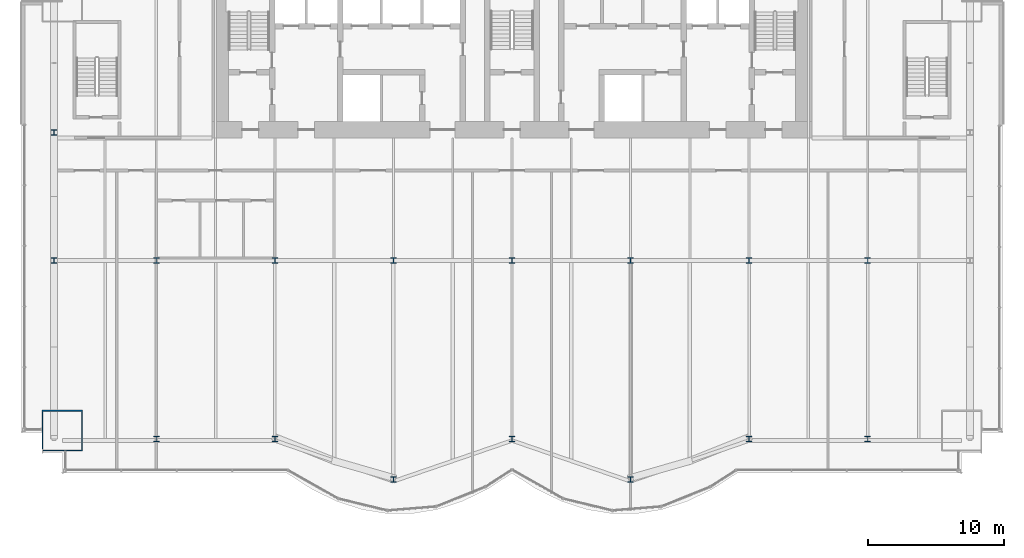
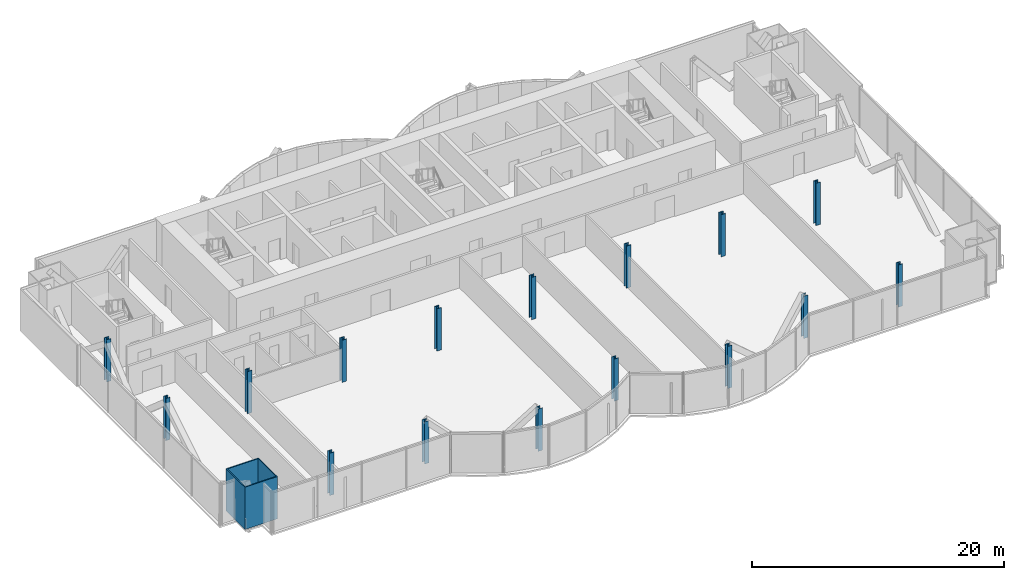
# One storey, part 1 of 21: 17 columns.
"""IFC4 building model written with IfcOpenShell, lengths in metres."""

from ifc_helpers import new_model, si_unit, direction, frame, origin, origin_2d, place, context, subcontext, project, spatial, hollow_rectangle, i_section, extrude, material, material_profile, profile_set, type_object, element, save


model = new_model("IFC4")

# Units and contexts
model_context = context("Model", 3, precision=1e-05, world=origin(), true_north=direction((0.0, 1.0)))
body_context = subcontext(model_context, "Body", "Model", "MODEL_VIEW")
ifc_project = project(units=[si_unit("LENGTHUNIT", "METRE"), si_unit("AREAUNIT", "SQUARE_METRE"), si_unit("VOLUMEUNIT", "CUBIC_METRE"), si_unit("PLANEANGLEUNIT", "RADIAN"), si_unit("MASSUNIT", "GRAM", prefix="KILO")], contexts=[model_context])

# Site, building, storey
site_placement = place(None, origin())
site = spatial("IfcSite", under=ifc_project, at=site_placement, CompositionType="ELEMENT")
building_placement = place(site_placement, origin())
building = spatial("IfcBuilding", under=site, at=building_placement, Name="Bicima Exchange Tower", CompositionType="ELEMENT")
storey_placement = place(building_placement, frame((0.0, 0.0, 114.5)))
storey = spatial("IfcBuildingStorey", under=building, at=storey_placement, Name="L24", CompositionType="ELEMENT", Elevation=114.5)

# Columns
ifc_material_1 = material(Name="Steel ASTM A992 Gr 50", Category="steel")
ifc_material_profile_1 = material_profile(ifc_material_1, i_section(OverallWidth=0.406494140625, OverallDepth=0.41650390625, WebThickness=0.030029296875, FlangeThickness=0.048095703125, at=origin_2d()))
ifc_profile_set_1 = profile_set([ifc_material_profile_1], Name="Steel ASTM A992 Gr 50")
column_type_1 = type_object("IfcColumnType", Name="Interior column W14x257", PredefinedType="COLUMN", material=ifc_profile_set_1)
for number, where, z_axis, x_axis, name in (
    (1, (-26.10009765625, -22.0, 0.0), (0.0, 0.0, 1.0), (1.0, 0.0, 0.0), "Interior column interior-26.1i"),
    (2, (-17.39990234375, -22.0, 0.0), (0.0, 0.0, 1.0), (1.0, 0.0, 0.0), "Interior column interior-17.4i"),
    (3, (-8.699951171875, -22.0, 0.0), (0.0, 0.0, 1.0), (1.0, 0.0, 0.0), "Interior column interior-8.7i"),
    (4, (0.0, -22.0, 0.0), (0.0, 0.0, 1.0), (1.0, 0.0, 0.0), "Interior column interior+0.0i"),
    (5, (8.699951171875, -22.0, 0.0), (0.0, 0.0, 1.0), (1.0, 0.0, 0.0), "Interior column interior+8.7i"),
    (6, (17.39990234375, -22.0, 0.0), (0.0, 0.0, 1.0), (1.0, 0.0, 0.0), "Interior column interior+17.4i"),
    (7, (26.10009765625, -22.0, 0.0), (0.0, 0.0, 1.0), (1.0, 0.0, 0.0), "Interior column interior+26.1i"),
):
    element("IfcColumn", number, at=place(storey_placement, frame(where, z_axis=z_axis, x_axis=x_axis)), inside=storey, type_object=column_type_1, Name=name, PredefinedType="COLUMN", context=body_context, shape_type="SweptSolid", body=[
        extrude(i_section(OverallWidth=0.406494140625, OverallDepth=0.41650390625, WebThickness=0.030029296875, FlangeThickness=0.048095703125, at=origin_2d()), origin(), (0.0, 0.0, 1.0), 4.10009765625),
    ])
ifc_material_2 = material(Name="Steel ASTM A572 Gr 50", Category="steel")
ifc_material_profile_2 = material_profile(ifc_material_2, hollow_rectangle(XDim=3.0, YDim=3.0, WallThickness=0.090087890625, at=origin_2d()))
ifc_profile_set_2 = profile_set([ifc_material_profile_2], Name="Steel ASTM A572 Gr 50")
column_type_2 = type_object("IfcColumnType", Name="Mega column BOX 3000x3000x90", PredefinedType="COLUMN", material=ifc_profile_set_2)
column_placement = place(storey_placement, frame((-33.0, -34.486083984375, 0.0), z_axis=(0.0, 0.0, 1.0), x_axis=(1.0, 0.0, 0.0)))
element("IfcColumn", 8, at=column_placement, inside=storey, type_object=column_type_2, Name="Mega column mega-33.0f", PredefinedType="COLUMN", context=body_context, shape_type="SweptSolid", body=[
    extrude(hollow_rectangle(XDim=3.0, YDim=3.0, WallThickness=0.090087890625, at=origin_2d()), origin(), (0.0, 0.0, 1.0), 4.10009765625),
])
ifc_material_profile_3 = material_profile(ifc_material_1, i_section(OverallWidth=0.398681640625, OverallDepth=0.393798828125, WebThickness=0.022705078125, FlangeThickness=0.03662109375, at=origin_2d()))
ifc_profile_set_3 = profile_set([ifc_material_profile_3], Name="Steel ASTM A992 Gr 50")
column_type_3 = type_object("IfcColumnType", Name="Perimeter column W14x193", PredefinedType="COLUMN", material=ifc_profile_set_3)
for number, where, z_axis, x_axis, name in (
    (9, (-26.10009765625, -35.0859375, 0.0), (0.0, 0.0, 1.0), (1.0, 0.0, 0.0), "Perimeter column grav-26.1f"),
    (10, (-17.39990234375, -35.0859375, 0.0), (0.0, 0.0, 1.0), (1.0, 0.0, 0.0), "Perimeter column grav-17.4f"),
    (11, (-8.699951171875, -38.0771484375, 0.0), (0.0, 0.0, 1.0), (1.0, 0.0, 0.0), "Perimeter column grav-8.7f"),
    (12, (0.0, -35.0859375, 0.0), (0.0, 0.0, 1.0), (1.0, 0.0, 0.0), "Perimeter column grav-0.0f"),
    (13, (8.699951171875, -38.0771484375, 0.0), (0.0, 0.0, 1.0), (1.0, 0.0, 0.0), "Perimeter column grav+8.7f"),
    (14, (17.39990234375, -35.0859375, 0.0), (0.0, 0.0, 1.0), (1.0, 0.0, 0.0), "Perimeter column grav+17.4f"),
    (15, (26.10009765625, -35.0859375, 0.0), (0.0, 0.0, 1.0), (1.0, 0.0, 0.0), "Perimeter column grav+26.1f"),
    (16, (-33.60009765625, -12.60009765625, 0.0), (0.0, 0.0, 1.0), (1.0, 0.0, 0.0), "End column end-33.6e"),
    (17, (-33.60009765625, -22.0, 0.0), (0.0, 0.0, 1.0), (1.0, 0.0, 0.0), "End column end-33.6e"),
):
    element("IfcColumn", number, at=place(storey_placement, frame(where, z_axis=z_axis, x_axis=x_axis)), inside=storey, type_object=column_type_3, Name=name, PredefinedType="COLUMN", context=body_context, shape_type="SweptSolid", body=[
        extrude(i_section(OverallWidth=0.398681640625, OverallDepth=0.393798828125, WebThickness=0.022705078125, FlangeThickness=0.03662109375, at=origin_2d()), origin(), (0.0, 0.0, 1.0), 4.10009765625),
    ])

save(model, "model.ifc")
